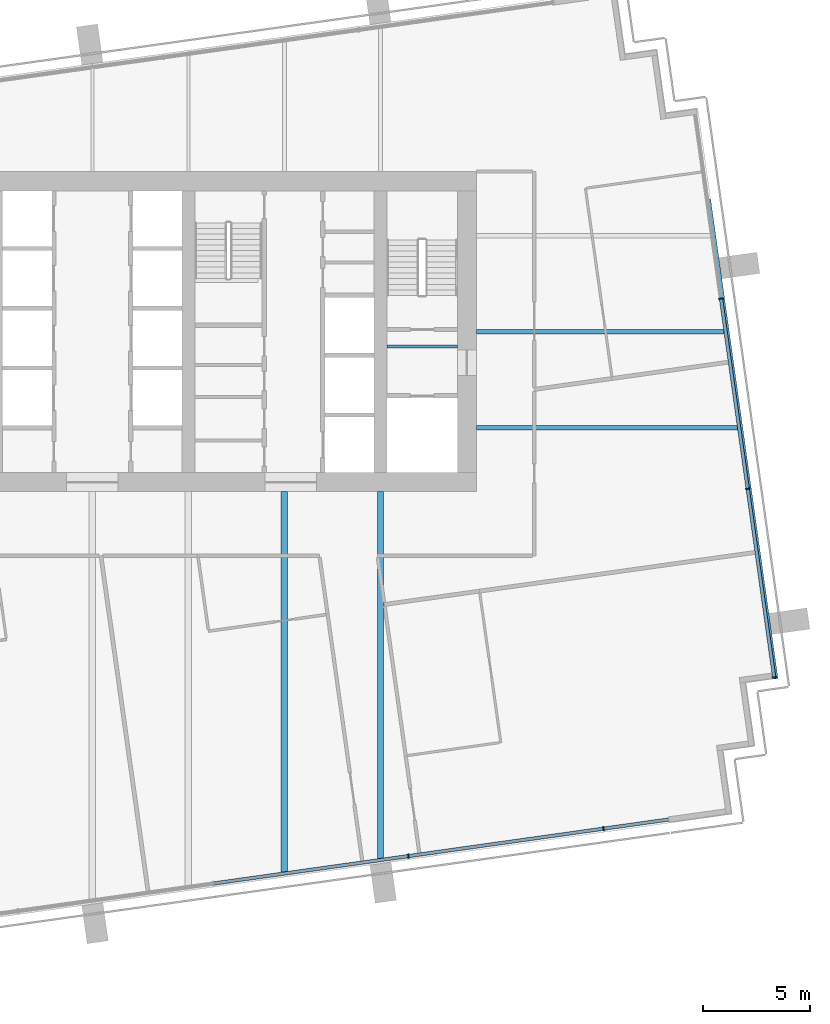
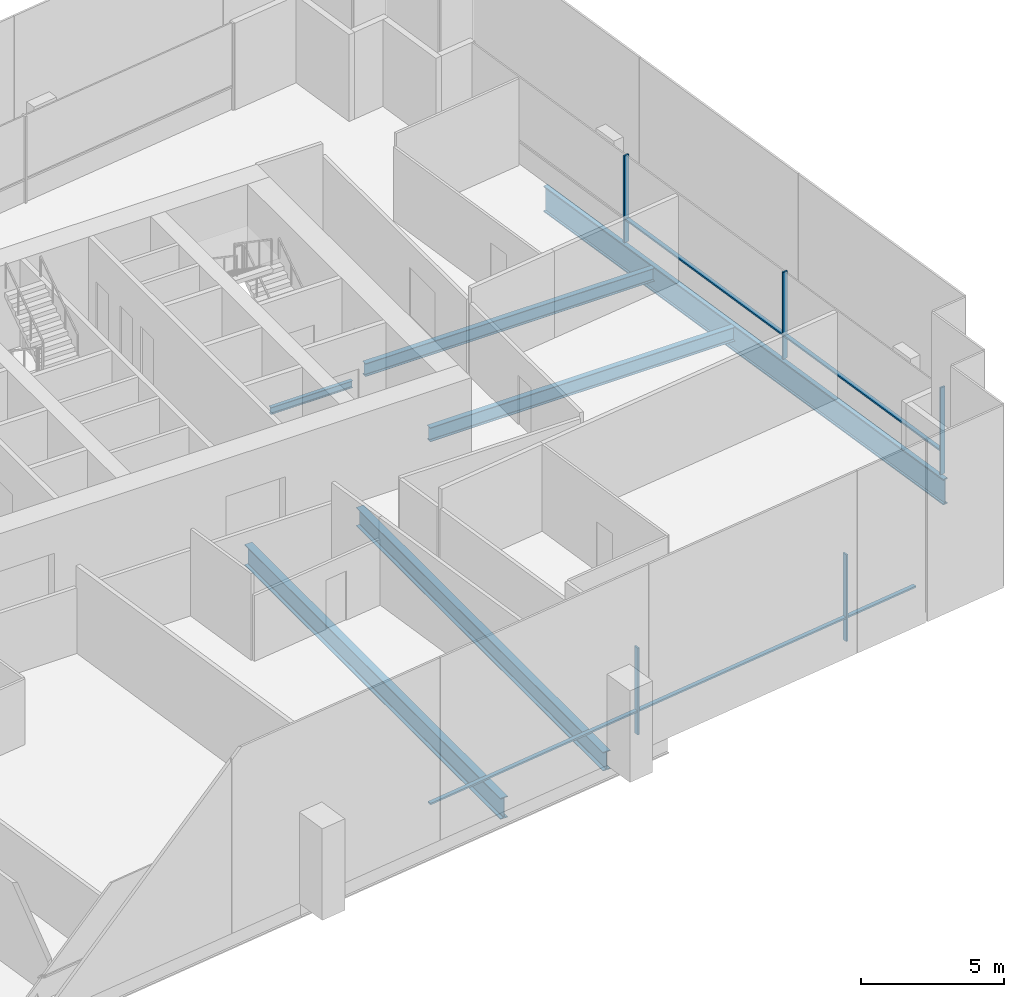
# One storey, part 5 of 17: 10 members, 6 beams, 2 elements without a shape of their own.
"""IFC4 building model written with IfcOpenShell, lengths in metres."""

from ifc_helpers import new_model, si_unit, direction, frame, origin, origin_2d, place, context, subcontext, project, spatial, rectangle, i_section, extrude, material, layer, layer_set, material_profile, profile_set, type_object, element, aggregate, save


model = new_model("IFC4")

# Units and contexts
model_context = context("Model", 3, precision=1e-05, world=origin(), true_north=direction((0.0, 1.0)))
body_context = subcontext(model_context, "Body", "Model", "MODEL_VIEW")
ifc_project = project(units=[si_unit("LENGTHUNIT", "METRE"), si_unit("AREAUNIT", "SQUARE_METRE"), si_unit("VOLUMEUNIT", "CUBIC_METRE"), si_unit("PLANEANGLEUNIT", "RADIAN"), si_unit("MASSUNIT", "GRAM", prefix="KILO")], contexts=[model_context])

# Site, building, storey
site_placement = place(None, origin())
site = spatial("IfcSite", under=ifc_project, at=site_placement, CompositionType="ELEMENT")
building_placement = place(site_placement, origin())
building = spatial("IfcBuilding", under=site, at=building_placement, Name="Rattan Terrace Tower", CompositionType="ELEMENT")
storey_placement = place(building_placement, frame((0.0, 0.0, 236.89990234375)))
storey = spatial("IfcBuildingStorey", under=building, at=storey_placement, Name="L54", CompositionType="ELEMENT", Elevation=236.89990234375)

# Beams
ifc_material_1 = material(Name="Steel S460", Category="steel")
ifc_material_profile_1 = material_profile(ifc_material_1, i_section(OverallWidth=0.179931640625, OverallDepth=1.10009765625, WebThickness=0.01611328125, FlangeThickness=0.050048828125, at=origin_2d()), Name="PG 1100x180-16-50")
ifc_profile_set_1 = profile_set([ifc_material_profile_1], Name="Steel S460")
beam_type_1 = type_object("IfcBeamType", Name="Frame edge girder PG 1100x180-16-50", PredefinedType="SPANDREL", material=ifc_profile_set_1)
beam_1_placement = place(storey_placement, frame((28.883056640625, 6.18505859375, -0.75), z_axis=(0.139138162292, -0.990272978423, 0.0), x_axis=(0.990272978423, 0.139138162292, 0.0)))
element("IfcBeam", 1, at=beam_1_placement, inside=storey, type_object=beam_type_1, Name="gdr-L54-004", PredefinedType="SPANDREL", context=body_context, shape_type="SweptSolid", body=[
    extrude(i_section(OverallWidth=0.179931640625, OverallDepth=1.10009765625, WebThickness=0.01611328125, FlangeThickness=0.050048828125, at=origin_2d()), origin(), (0.0, 0.0, 1.0), 22.66845703125),
])
ifc_material_2 = material(Name="Steel S355", Category="steel")
ifc_material_profile_2 = material_profile(ifc_material_2, i_section(OverallWidth=0.300048828125, OverallDepth=0.800048828125, WebThickness=0.017578125, FlangeThickness=0.032958984375, FilletRadius=0.030029296875, at=origin_2d()), Name="HE 800 B")
ifc_profile_set_2 = profile_set([ifc_material_profile_2], Name="Steel S355")
beam_type_2 = type_object("IfcBeamType", Name="Frame floor beam HE 800 B", PredefinedType="JOIST", material=ifc_profile_set_2)
beam_2_placement = place(storey_placement, frame((13.5, -24.72509765625, -0.599853515625), z_axis=(0.0, 1.0, 0.0), x_axis=(-1.0, 0.0, 0.0)))
element("IfcBeam", 2, at=beam_2_placement, inside=storey, type_object=beam_type_2, Name="bm-L54-008", PredefinedType="JOIST", context=body_context, shape_type="SweptSolid", body=[
    extrude(i_section(OverallWidth=0.300048828125, OverallDepth=0.800048828125, WebThickness=0.017578125, FlangeThickness=0.032958984375, FilletRadius=0.030029296875, at=origin_2d()), origin(), (0.0, 0.0, 1.0), 17.22509765625),
])
ifc_material_3 = material(Name="Steel S355", Category="steel")
ifc_material_profile_3 = material_profile(ifc_material_3, i_section(OverallWidth=0.300048828125, OverallDepth=0.89990234375, WebThickness=0.0185546875, FlangeThickness=0.034912109375, FilletRadius=0.030029296875, at=origin_2d()), Name="HE 900 B")
ifc_profile_set_3 = profile_set([ifc_material_profile_3], Name="Steel S355")
beam_type_3 = type_object("IfcBeamType", Name="Frame floor beam HE 900 B", PredefinedType="JOIST", material=ifc_profile_set_3)
beam_3_placement = place(storey_placement, frame((9.0, -25.35693359375, -0.64990234375), z_axis=(0.0, 1.0, 0.0), x_axis=(-1.0, 0.0, 0.0)))
element("IfcBeam", 3, at=beam_3_placement, inside=storey, type_object=beam_type_3, Name="bm-L54-007", PredefinedType="JOIST", context=body_context, shape_type="SweptSolid", body=[
    extrude(i_section(OverallWidth=0.300048828125, OverallDepth=0.89990234375, WebThickness=0.0185546875, FlangeThickness=0.034912109375, FilletRadius=0.030029296875, at=origin_2d()), origin(), (0.0, 0.0, 1.0), 17.85693359375),
])
ifc_material_4 = material(Name="Steel S355", Category="steel")
ifc_material_profile_4 = material_profile(ifc_material_4, i_section(OverallWidth=0.14990234375, OverallDepth=0.300048828125, WebThickness=0.007080078125, FlangeThickness=0.0107421875, FilletRadius=0.014892578125, at=origin_2d()), Name="IPE 300")
ifc_profile_set_4 = profile_set([ifc_material_profile_4], Name="Steel S355")
beam_type_4 = type_object("IfcBeamType", Name="Frame floor beam IPE 300", PredefinedType="JOIST", material=ifc_profile_set_4)
beam_4_placement = place(storey_placement, frame((13.800048828125, -0.695068359375, -0.349853515625), z_axis=(1.0, 0.0, 0.0), x_axis=(0.0, 1.0, 0.0)))
element("IfcBeam", 4, at=beam_4_placement, inside=storey, type_object=beam_type_4, Name="bm-L54-002", PredefinedType="JOIST", context=body_context, shape_type="SweptSolid", body=[
    extrude(i_section(OverallWidth=0.14990234375, OverallDepth=0.300048828125, WebThickness=0.007080078125, FlangeThickness=0.0107421875, FilletRadius=0.014892578125, at=origin_2d()), origin(), (0.0, 0.0, 1.0), 3.300048828125),
])
ifc_material_5 = material(Name="Steel S355", Category="steel")
ifc_material_profile_5 = material_profile(ifc_material_5, i_section(OverallWidth=0.2099609375, OverallDepth=0.550048828125, WebThickness=0.010986328125, FlangeThickness=0.01708984375, FilletRadius=0.02392578125, at=origin_2d()), Name="IPE 550")
ifc_profile_set_5 = profile_set([ifc_material_profile_5], Name="Steel S355")
beam_type_5 = type_object("IfcBeamType", Name="Frame floor beam IPE 550", PredefinedType="JOIST", material=ifc_profile_set_5)
beam_5_placement = place(storey_placement, frame((18.0, 0.0, -0.474853515625), z_axis=(1.0, 0.0, 0.0), x_axis=(0.0, 1.0, 0.0)))
element("IfcBeam", 5, at=beam_5_placement, inside=storey, type_object=beam_type_5, Name="bm-L54-012", PredefinedType="JOIST", context=body_context, shape_type="SweptSolid", body=[
    extrude(i_section(OverallWidth=0.2099609375, OverallDepth=0.550048828125, WebThickness=0.010986328125, FlangeThickness=0.01708984375, FilletRadius=0.02392578125, at=origin_2d()), origin(), (0.0, 0.0, 1.0), 11.64599609375),
])
ifc_material_6 = material(Name="Steel S355", Category="steel")
ifc_material_profile_6 = material_profile(ifc_material_6, i_section(OverallWidth=0.219970703125, OverallDepth=0.60009765625, WebThickness=0.011962890625, FlangeThickness=0.01904296875, FilletRadius=0.02392578125, at=origin_2d()), Name="IPE 600")
ifc_profile_set_6 = profile_set([ifc_material_profile_6], Name="Steel S355")
beam_type_6 = type_object("IfcBeamType", Name="Frame floor beam IPE 600", PredefinedType="JOIST", material=ifc_profile_set_6)
beam_6_placement = place(storey_placement, frame((18.0, -4.5, -0.5), z_axis=(1.0, 0.0, 0.0), x_axis=(0.0, 1.0, 0.0)))
element("IfcBeam", 6, at=beam_6_placement, inside=storey, type_object=beam_type_6, Name="bm-L54-010", PredefinedType="JOIST", context=body_context, shape_type="SweptSolid", body=[
    extrude(i_section(OverallWidth=0.219970703125, OverallDepth=0.60009765625, WebThickness=0.011962890625, FlangeThickness=0.01904296875, FilletRadius=0.02392578125, at=origin_2d()), origin(), (0.0, 0.0, 1.0), 12.278076171875),
])

# Curtain wall, members
ifc_material_7 = material(Name="Aluminium and laminated glass", Category="aluminium")
ifc_layer = layer(ifc_material_7, 0.199951171875)
ifc_layer_set = layer_set([ifc_layer], Name="High-Zone Unitised Curtain Wall")
curtain_wall_type = type_object("IfcCurtainWallType", Name="High-Zone Unitised Curtain Wall", PredefinedType="NOTDEFINED", material=ifc_layer_set)
curtain_wall_1_placement = place(storey_placement, origin())
curtain_wall_1 = element("IfcCurtainWall", 7, at=curtain_wall_1_placement, inside=storey, type_object=curtain_wall_type, Name="High-zone curtain wall L54-1", PredefinedType="NOTDEFINED")
ifc_material_8 = material(Name="Aluminium", Category="aluminium")
ifc_material_profile_7 = material_profile(ifc_material_8, rectangle(XDim=0.070068359375, YDim=0.199951171875, at=origin_2d()), Name="Aluminium 70x200")
ifc_profile_set_7 = profile_set([ifc_material_profile_7], Name="Aluminium")
member_type_1 = type_object("IfcMemberType", Name="High-Zone CW Mullion 70x200", PredefinedType="MULLION", material=ifc_profile_set_7)
member_1_placement = place(storey_placement, frame((31.946533203125, -16.1943359375, 0.0), z_axis=(0.0, 0.0, 1.0), x_axis=(-0.139186165309, 0.990266232579, 0.0)))
member_1 = element("IfcMember", 8, at=member_1_placement, type_object=member_type_1, Name="Mullion cwl-L54-001.1", PredefinedType="MULLION", context=body_context, shape_type="SweptSolid", body=[
    extrude(rectangle(XDim=0.070068359375, YDim=0.199951171875, at=origin_2d()), origin(), (0.0, 0.0, 1.0), 3.7001953125),
])
member_2_placement = place(storey_placement, frame((30.705078125, -7.361328125, 0.0), z_axis=(0.0, 0.0, 1.0), x_axis=(-0.139186165309, 0.990266232579, 0.0)))
member_2 = element("IfcMember", 9, at=member_2_placement, type_object=member_type_1, Name="Mullion cwl-L54-001.2", PredefinedType="MULLION", context=body_context, shape_type="SweptSolid", body=[
    extrude(rectangle(XDim=0.070068359375, YDim=0.199951171875, at=origin_2d()), origin(), (0.0, 0.0, 1.0), 3.7001953125),
])
member_3_placement = place(storey_placement, frame((29.452392578125, 1.551025390625, 0.0), z_axis=(0.0, 0.0, 1.0), x_axis=(-0.139186165309, 0.990266232579, 0.0)))
member_3 = element("IfcMember", 10, at=member_3_placement, type_object=member_type_1, Name="Mullion cwl-L54-001.3", PredefinedType="MULLION", context=body_context, shape_type="SweptSolid", body=[
    extrude(rectangle(XDim=0.070068359375, YDim=0.199951171875, at=origin_2d()), origin(), (0.0, 0.0, 1.0), 3.7001953125),
])

curtain_wall_2_placement = place(storey_placement, origin())
curtain_wall_2 = element("IfcCurtainWall", 11, at=curtain_wall_2_placement, inside=storey, type_object=curtain_wall_type, Name="High-zone curtain wall L54-4", PredefinedType="NOTDEFINED")
member_4_placement = place(storey_placement, frame((14.808837890625, -24.571533203125, 0.0), z_axis=(0.0, 0.0, 1.0), x_axis=(0.990267457022, 0.139177453499, 0.0)))
member_4 = element("IfcMember", 12, at=member_4_placement, type_object=member_type_1, Name="Mullion cwl-L54-004.4", PredefinedType="MULLION", context=body_context, shape_type="SweptSolid", body=[
    extrude(rectangle(XDim=0.070068359375, YDim=0.199951171875, at=origin_2d()), origin(), (0.0, 0.0, 1.0), 3.7001953125),
])
member_5_placement = place(storey_placement, frame((23.949951171875, -23.28662109375, 0.0), z_axis=(0.0, 0.0, 1.0), x_axis=(0.990267457022, 0.139177453499, 0.0)))
member_5 = element("IfcMember", 13, at=member_5_placement, type_object=member_type_1, Name="Mullion cwl-L54-004.5", PredefinedType="MULLION", context=body_context, shape_type="SweptSolid", body=[
    extrude(rectangle(XDim=0.070068359375, YDim=0.199951171875, at=origin_2d()), origin(), (0.0, 0.0, 1.0), 3.7001953125),
])

# Member
ifc_material_9 = material(Name="Aluminium", Category="aluminium")
ifc_material_profile_8 = material_profile(ifc_material_9, rectangle(XDim=0.159912109375, YDim=0.070068359375, at=origin_2d()), Name="Aluminium 160x70")
ifc_profile_set_8 = profile_set([ifc_material_profile_8], Name="Aluminium")
member_type_2 = type_object("IfcMemberType", Name="High-Zone CW Transom 160x70", PredefinedType="USERDEFINED", material=ifc_profile_set_8)
member_6_placement = place(storey_placement, frame((31.941650390625, -16.159912109375, 1.0), z_axis=(-0.139173253985, 0.990268047235, 0.0), x_axis=(-0.990268047235, -0.139173253985, 0.0)))
member_6 = element("IfcMember", 14, at=member_6_placement, type_object=member_type_2, Name="Transom cwl-L54-001.1", ObjectType="TRANSOM", PredefinedType="USERDEFINED", context=body_context, shape_type="SweptSolid", body=[
    extrude(rectangle(XDim=0.159912109375, YDim=0.070068359375, at=origin_2d()), origin(), (0.0, 0.0, 1.0), 8.85009765625),
])

member_7_placement = place(storey_placement, frame((30.7001953125, -7.32666015625, 1.0), z_axis=(-0.139185713085, 0.990266296141, 0.0), x_axis=(-0.990266296141, -0.139185713085, 0.0)))
member_7 = element("IfcMember", 15, at=member_7_placement, type_object=member_type_2, Name="Transom cwl-L54-001.2", ObjectType="TRANSOM", PredefinedType="USERDEFINED", context=body_context, shape_type="SweptSolid", body=[
    extrude(rectangle(XDim=0.159912109375, YDim=0.070068359375, at=origin_2d()), origin(), (0.0, 0.0, 1.0), 8.929931640625),
])

aggregate(curtain_wall_1, [member_1, member_2, member_3, member_6, member_7])

member_8_placement = place(storey_placement, frame((5.702392578125, -25.851318359375, 1.0), z_axis=(0.990265190222, 0.139193581154, 0.0), x_axis=(-0.139193581154, 0.990265190222, 0.0)))
member_8 = element("IfcMember", 16, at=member_8_placement, type_object=member_type_2, Name="Transom cwl-L54-004.3", ObjectType="TRANSOM", PredefinedType="USERDEFINED", context=body_context, shape_type="SweptSolid", body=[
    extrude(rectangle(XDim=0.159912109375, YDim=0.070068359375, at=origin_2d()), origin(), (0.0, 0.0, 1.0), 9.160888671875),
])

member_9_placement = place(storey_placement, frame((14.843505859375, -24.566650390625, 1.0), z_axis=(0.990265190222, 0.139193581154, 0.0), x_axis=(-0.139193581154, 0.990265190222, 0.0)))
member_9 = element("IfcMember", 17, at=member_9_placement, type_object=member_type_2, Name="Transom cwl-L54-004.4", ObjectType="TRANSOM", PredefinedType="USERDEFINED", context=body_context, shape_type="SweptSolid", body=[
    extrude(rectangle(XDim=0.159912109375, YDim=0.070068359375, at=origin_2d()), origin(), (0.0, 0.0, 1.0), 9.160888671875),
])

member_10_placement = place(storey_placement, frame((23.984619140625, -23.28173828125, 1.0), z_axis=(0.990269723995, 0.139161322712, 0.0), x_axis=(-0.139161322712, 0.990269723995, 0.0)))
member_10 = element("IfcMember", 18, at=member_10_placement, type_object=member_type_2, Name="Transom cwl-L54-004.5", ObjectType="TRANSOM", PredefinedType="USERDEFINED", context=body_context, shape_type="SweptSolid", body=[
    extrude(rectangle(XDim=0.159912109375, YDim=0.070068359375, at=origin_2d()), origin(), (0.0, 0.0, 1.0), 3.040283203125),
])

aggregate(curtain_wall_2, [member_4, member_5, member_8, member_9, member_10])

save(model, "model.ifc")
